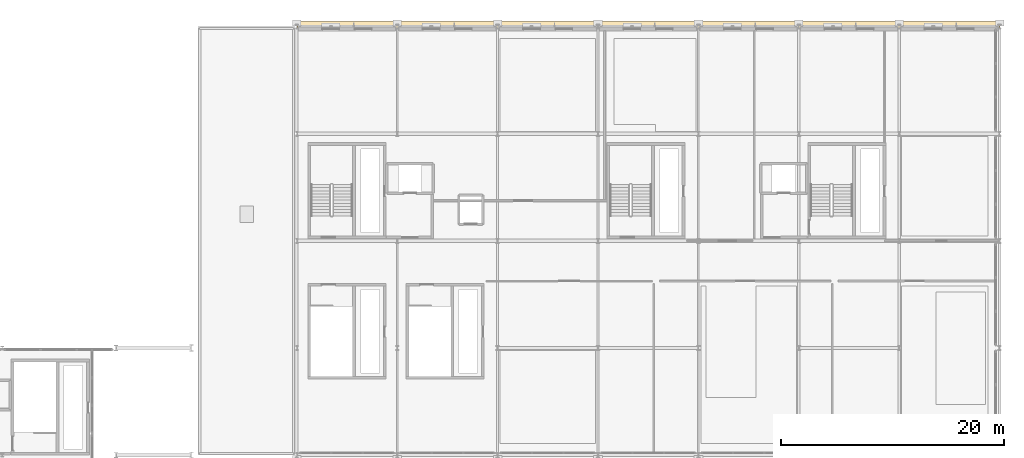
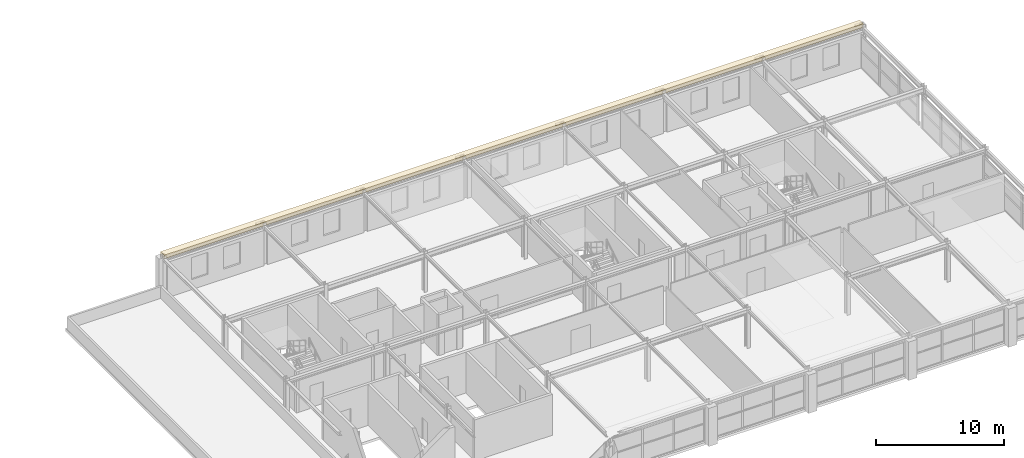
# One storey, part 51 of 52: 1 covering.
"""IFC4 building model written with IfcOpenShell, lengths in metres."""

from ifc_helpers import new_model, si_unit, direction, frame, origin, origin_2d, place, context, subcontext, project, spatial, rectangle, extrude, material, layer, layer_set, type_object, element, save


model = new_model("IFC4")

# Units and contexts
model_context = context("Model", 3, precision=1e-05, world=origin(), true_north=direction((0.0, 1.0)))
body_context = subcontext(model_context, "Body", "Model", "MODEL_VIEW")
ifc_project = project(units=[si_unit("LENGTHUNIT", "METRE"), si_unit("AREAUNIT", "SQUARE_METRE"), si_unit("VOLUMEUNIT", "CUBIC_METRE"), si_unit("PLANEANGLEUNIT", "RADIAN"), si_unit("MASSUNIT", "GRAM", prefix="KILO")], contexts=[model_context])

# Site, building, storey
site_placement = place(None, origin())
site = spatial("IfcSite", under=ifc_project, at=site_placement, CompositionType="ELEMENT")
building_placement = place(site_placement, origin())
building = spatial("IfcBuilding", under=site, at=building_placement, Name="Myrtia Square Station", CompositionType="ELEMENT")
storey_placement = place(building_placement, frame((0.0, 0.0, 15.0)))
storey = spatial("IfcBuildingStorey", under=building, at=storey_placement, Name="L03", CompositionType="ELEMENT", Elevation=15.0)

# Covering
ifc_material = material(Name="Pentelic marble ashlar", Category="masonry")
ifc_layer = layer(ifc_material, 0.47998046875, Name="Pentelic marble ashlar")
ifc_layer_set = layer_set([ifc_layer], Name="Pentelic marble ashlar")
covering_type = type_object("IfcCoveringType", Name="COV-CORNICE-ASHLAR", PredefinedType="MOLDING", material=ifc_layer_set)
covering_placement = place(storey_placement, frame((157.5, 124.969970703125, 3.580078125), z_axis=(0.0, 0.0, 1.0), x_axis=(1.0, 0.0, 0.0)))
element("IfcCovering", 1, at=covering_placement, inside=storey, type_object=covering_type, Name="Classical entablature cornice moulding 013", PredefinedType="MOLDING", context=body_context, shape_type="SweptSolid", body=[
    extrude(rectangle(XDim=63.0, YDim=0.580078125, at=origin_2d()), origin(), (0.0, 0.0, 1.0), 0.360107421875),
])

save(model, "model.ifc")
